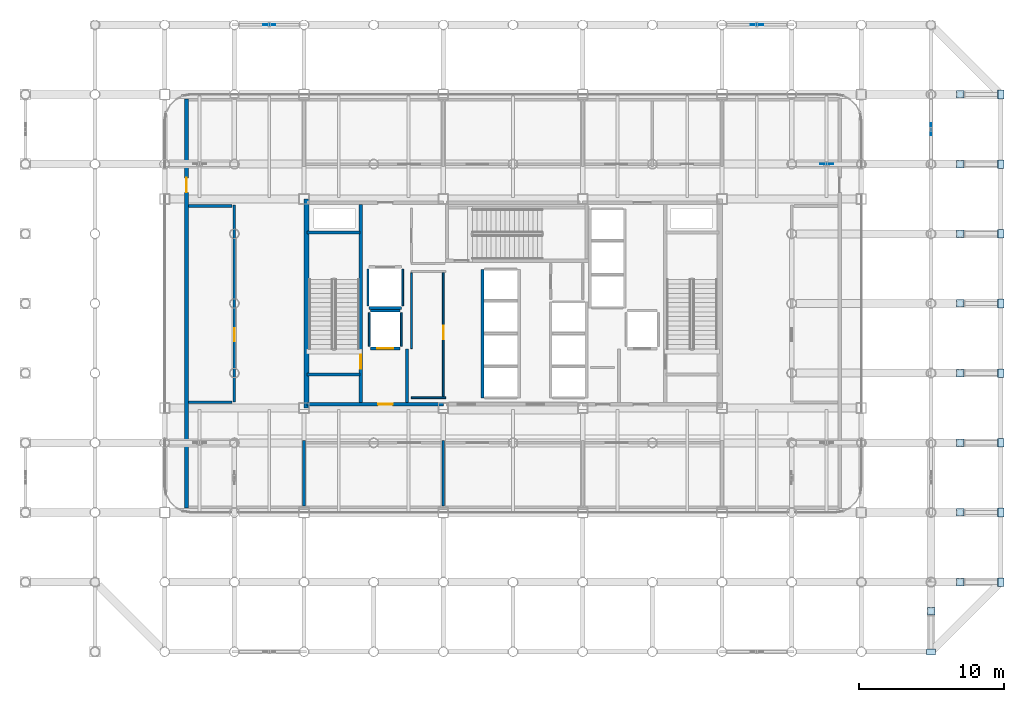
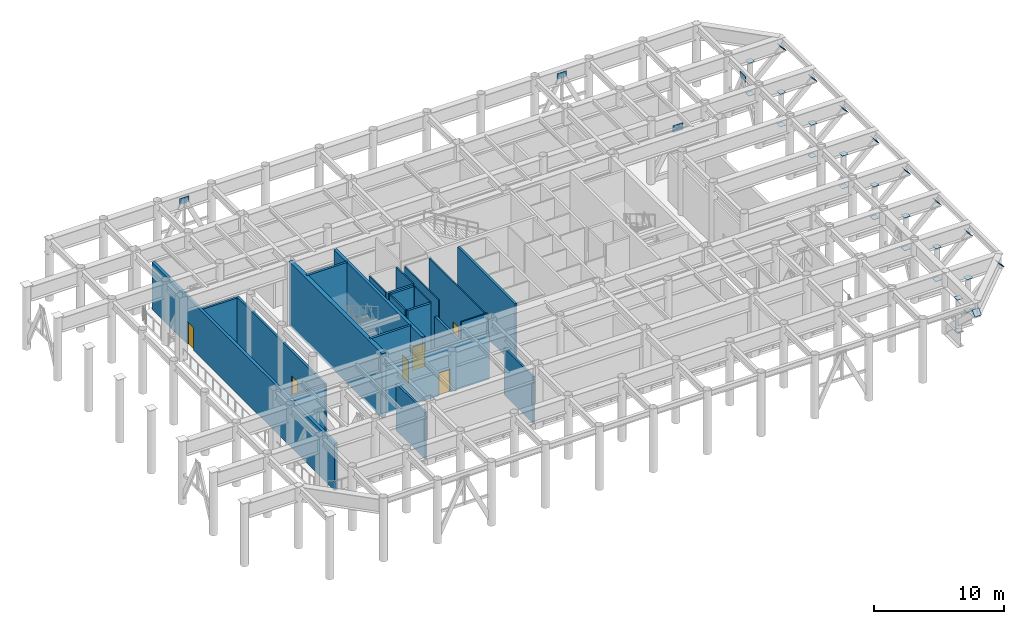
# One storey, part 14 of 20: 31 plates, 23 walls, 6 doors, 6 openings.
"""IFC4 building model written with IfcOpenShell, lengths in metres."""

from ifc_helpers import new_model, si_unit, direction, frame, frame_2d, origin, origin_2d, place, context, subcontext, project, spatial, polyline, rectangle, outline, extrude, material, layer, layer_set, type_object, element, fill, save


model = new_model("IFC4")

# Units and contexts
model_context = context("Model", 3, precision=1e-05, world=origin(), true_north=direction((0.0, 1.0)))
body_context = subcontext(model_context, "Body", "Model", "MODEL_VIEW")
ifc_project = project(units=[si_unit("LENGTHUNIT", "METRE"), si_unit("AREAUNIT", "SQUARE_METRE"), si_unit("VOLUMEUNIT", "CUBIC_METRE"), si_unit("PLANEANGLEUNIT", "RADIAN"), si_unit("MASSUNIT", "GRAM", prefix="KILO")], contexts=[model_context])

# Site, building, storey
site_placement = place(None, origin())
site = spatial("IfcSite", under=ifc_project, at=site_placement, CompositionType="ELEMENT")
building_placement = place(site_placement, origin())
building = spatial("IfcBuilding", under=site, at=building_placement, Name="Kallvorn Hotel Tower", CompositionType="ELEMENT")
storey_placement = place(building_placement, frame((0.0, 0.0, 185.5)))
storey = spatial("IfcBuildingStorey", under=building, at=storey_placement, Name="L46", CompositionType="ELEMENT", Elevation=185.5)

# Plates
ifc_material_1 = material(Name="Structural steel S355JR", Category="steel")
ifc_layer_1 = layer(ifc_material_1, 0.030029296875)
ifc_layer_set_1 = layer_set([ifc_layer_1], Name="PLT_CAP_30")
plate_type_1 = type_object("IfcPlateType", Name="PLT_CAP_30", PredefinedType="SHEET", material=ifc_layer_set_1)
for number, where, z_axis, x_axis, name in (
    (1, (28.800048828125, -21.199951171875, 1.3701171875), (0.0, 0.0, 1.0), (1.0, 0.0, 0.0), "L46 Prop Column End Cap Plate 01B"),
    (2, (28.800048828125, -21.199951171875, 4.43994140625), (0.0, 0.0, 1.0), (1.0, 0.0, 0.0), "L46 Prop Column End Cap Plate 01T"),
):
    element("IfcPlate", number, at=place(storey_placement, frame(where, z_axis=z_axis, x_axis=x_axis)), inside=storey, type_object=plate_type_1, Name=name, PredefinedType="SHEET", context=body_context, shape_type="SweptSolid", body=[
        extrude(rectangle(XDim=0.52001953125, YDim=0.52001953125, at=origin_2d()), origin(), (0.0, 0.0, 1.0), 0.030029296875),
    ])
plate_1_placement = place(storey_placement, frame((28.5, -24.2275390625, 4.572265625), z_axis=(0.0, -0.727949082746, 0.685631193084), x_axis=(1.0, 0.0, 0.0)))
element("IfcPlate", 3, at=plate_1_placement, inside=storey, type_object=plate_type_1, Name="L46 Cantilever Strut Node Cap 01", PredefinedType="SHEET", context=body_context, shape_type="SweptSolid", body=[
    extrude(outline(polyline([(0.0, 0.0), (0.60009765625, 0.0), (0.60009765625, 0.5999974290474805), (0.0, 0.5999974290474805), (0.0, 0.0)])), origin(), (0.0, 0.0, -1.0), 0.030029296875),
])
for number, where, z_axis, x_axis, name in (
    (4, (30.800048828125, -19.199951171875, 1.3701171875), (0.0, 0.0, 1.0), (1.0, 0.0, 0.0), "L46 Prop Column End Cap Plate 02B"),
    (5, (30.800048828125, -19.199951171875, 4.43994140625), (0.0, 0.0, 1.0), (1.0, 0.0, 0.0), "L46 Prop Column End Cap Plate 02T"),
):
    element("IfcPlate", number, at=place(storey_placement, frame(where, z_axis=z_axis, x_axis=x_axis)), inside=storey, type_object=plate_type_1, Name=name, PredefinedType="SHEET", context=body_context, shape_type="SweptSolid", body=[
        extrude(rectangle(XDim=0.52001953125, YDim=0.52001953125, at=origin_2d()), origin(), (0.0, 0.0, 1.0), 0.030029296875),
    ])
plate_2_placement = place(storey_placement, frame((33.827392578125, -19.5, 4.572265625), z_axis=(0.72815219451, 0.0, 0.685415481026), x_axis=(0.0, 1.0, 0.0)))
element("IfcPlate", 6, at=plate_2_placement, inside=storey, type_object=plate_type_1, Name="L46 Cantilever Strut Node Cap 02", PredefinedType="SHEET", context=body_context, shape_type="SweptSolid", body=[
    extrude(outline(polyline([(0.0, 0.0), (0.60009765625, 0.0), (0.60009765625, 0.5998300649478467), (0.0, 0.5998300649478467), (0.0, 0.0)])), origin(), (0.0, 0.0, -1.0), 0.030029296875),
])
for number, where, z_axis, x_axis, name in (
    (7, (30.800048828125, -14.39990234375, 1.3701171875), (0.0, 0.0, 1.0), (1.0, 0.0, 0.0), "L46 Prop Column End Cap Plate 03B"),
    (8, (30.800048828125, -14.39990234375, 4.43994140625), (0.0, 0.0, 1.0), (1.0, 0.0, 0.0), "L46 Prop Column End Cap Plate 03T"),
):
    element("IfcPlate", number, at=place(storey_placement, frame(where, z_axis=z_axis, x_axis=x_axis)), inside=storey, type_object=plate_type_1, Name=name, PredefinedType="SHEET", context=body_context, shape_type="SweptSolid", body=[
        extrude(rectangle(XDim=0.52001953125, YDim=0.52001953125, at=origin_2d()), origin(), (0.0, 0.0, 1.0), 0.030029296875),
    ])
plate_3_placement = place(storey_placement, frame((33.827392578125, -14.699951171875, 4.572265625), z_axis=(0.72815219451, 0.0, 0.685415481026), x_axis=(0.0, 1.0, 0.0)))
element("IfcPlate", 9, at=plate_3_placement, inside=storey, type_object=plate_type_1, Name="L46 Cantilever Strut Node Cap 03", PredefinedType="SHEET", context=body_context, shape_type="SweptSolid", body=[
    extrude(outline(polyline([(0.0, 0.0), (0.599853515625, 0.0), (0.599853515625, 0.5998300649478467), (0.0, 0.5998300649478467), (0.0, 0.0)])), origin(), (0.0, 0.0, -1.0), 0.030029296875),
])
for number, where, z_axis, x_axis, name in (
    (10, (30.800048828125, -9.60009765625, 1.3701171875), (0.0, 0.0, 1.0), (1.0, 0.0, 0.0), "L46 Prop Column End Cap Plate 04B"),
    (11, (30.800048828125, -9.60009765625, 4.43994140625), (0.0, 0.0, 1.0), (1.0, 0.0, 0.0), "L46 Prop Column End Cap Plate 04T"),
):
    element("IfcPlate", number, at=place(storey_placement, frame(where, z_axis=z_axis, x_axis=x_axis)), inside=storey, type_object=plate_type_1, Name=name, PredefinedType="SHEET", context=body_context, shape_type="SweptSolid", body=[
        extrude(rectangle(XDim=0.52001953125, YDim=0.52001953125, at=origin_2d()), origin(), (0.0, 0.0, 1.0), 0.030029296875),
    ])
plate_4_placement = place(storey_placement, frame((33.827392578125, -9.89990234375, 4.572265625), z_axis=(0.72815219451, 0.0, 0.685415481026), x_axis=(0.0, 1.0, 0.0)))
element("IfcPlate", 12, at=plate_4_placement, inside=storey, type_object=plate_type_1, Name="L46 Cantilever Strut Node Cap 04", PredefinedType="SHEET", context=body_context, shape_type="SweptSolid", body=[
    extrude(outline(polyline([(0.0, 0.0), (0.599853515625, 0.0), (0.599853515625, 0.5998300649478467), (0.0, 0.5998300649478467), (0.0, 0.0)])), origin(), (0.0, 0.0, -1.0), 0.030029296875),
])
for number, where, z_axis, x_axis, name in (
    (13, (30.800048828125, -4.800048828125, 1.3701171875), (0.0, 0.0, 1.0), (1.0, 0.0, 0.0), "L46 Prop Column End Cap Plate 05B"),
    (14, (30.800048828125, -4.800048828125, 4.43994140625), (0.0, 0.0, 1.0), (1.0, 0.0, 0.0), "L46 Prop Column End Cap Plate 05T"),
):
    element("IfcPlate", number, at=place(storey_placement, frame(where, z_axis=z_axis, x_axis=x_axis)), inside=storey, type_object=plate_type_1, Name=name, PredefinedType="SHEET", context=body_context, shape_type="SweptSolid", body=[
        extrude(rectangle(XDim=0.52001953125, YDim=0.52001953125, at=origin_2d()), origin(), (0.0, 0.0, 1.0), 0.030029296875),
    ])
plate_5_placement = place(storey_placement, frame((33.827392578125, -5.10009765625, 4.572265625), z_axis=(0.72815219451, 0.0, 0.685415481026), x_axis=(0.0, 1.0, 0.0)))
element("IfcPlate", 15, at=plate_5_placement, inside=storey, type_object=plate_type_1, Name="L46 Cantilever Strut Node Cap 05", PredefinedType="SHEET", context=body_context, shape_type="SweptSolid", body=[
    extrude(outline(polyline([(0.0, 0.0), (0.60009765625, 0.0), (0.60009765625, 0.5998300649478467), (0.0, 0.5998300649478467), (0.0, 0.0)])), origin(), (0.0, 0.0, -1.0), 0.030029296875),
])
for number, where, z_axis, x_axis, name in (
    (16, (30.800048828125, 0.0, 1.3701171875), (0.0, 0.0, 1.0), (1.0, 0.0, 0.0), "L46 Prop Column End Cap Plate 06B"),
    (17, (30.800048828125, 0.0, 4.43994140625), (0.0, 0.0, 1.0), (1.0, 0.0, 0.0), "L46 Prop Column End Cap Plate 06T"),
):
    element("IfcPlate", number, at=place(storey_placement, frame(where, z_axis=z_axis, x_axis=x_axis)), inside=storey, type_object=plate_type_1, Name=name, PredefinedType="SHEET", context=body_context, shape_type="SweptSolid", body=[
        extrude(rectangle(XDim=0.52001953125, YDim=0.52001953125, at=origin_2d()), origin(), (0.0, 0.0, 1.0), 0.030029296875),
    ])
plate_6_placement = place(storey_placement, frame((33.827392578125, -0.300048828125, 4.572265625), z_axis=(0.72815219451, 0.0, 0.685415481026), x_axis=(0.0, 1.0, 0.0)))
element("IfcPlate", 18, at=plate_6_placement, inside=storey, type_object=plate_type_1, Name="L46 Cantilever Strut Node Cap 06", PredefinedType="SHEET", context=body_context, shape_type="SweptSolid", body=[
    extrude(outline(polyline([(0.0, 0.0), (0.60009765625, 0.0), (0.60009765625, 0.5998300649478467), (0.0, 0.5998300649478467), (0.0, 0.0)])), origin(), (0.0, 0.0, -1.0), 0.030029296875),
])
for number, where, z_axis, x_axis, name in (
    (19, (30.800048828125, 4.800048828125, 1.3701171875), (0.0, 0.0, 1.0), (1.0, 0.0, 0.0), "L46 Prop Column End Cap Plate 07B"),
    (20, (30.800048828125, 4.800048828125, 4.43994140625), (0.0, 0.0, 1.0), (1.0, 0.0, 0.0), "L46 Prop Column End Cap Plate 07T"),
):
    element("IfcPlate", number, at=place(storey_placement, frame(where, z_axis=z_axis, x_axis=x_axis)), inside=storey, type_object=plate_type_1, Name=name, PredefinedType="SHEET", context=body_context, shape_type="SweptSolid", body=[
        extrude(rectangle(XDim=0.52001953125, YDim=0.52001953125, at=origin_2d()), origin(), (0.0, 0.0, 1.0), 0.030029296875),
    ])
plate_7_placement = place(storey_placement, frame((33.827392578125, 4.5, 4.572265625), z_axis=(0.72815219451, 0.0, 0.685415481026), x_axis=(0.0, 1.0, 0.0)))
element("IfcPlate", 21, at=plate_7_placement, inside=storey, type_object=plate_type_1, Name="L46 Cantilever Strut Node Cap 07", PredefinedType="SHEET", context=body_context, shape_type="SweptSolid", body=[
    extrude(outline(polyline([(0.0, 0.0), (0.60009765625, 0.0), (0.60009765625, 0.5998300649478467), (0.0, 0.5998300649478467), (0.0, 0.0)])), origin(), (0.0, 0.0, -1.0), 0.030029296875),
])
for number, where, z_axis, x_axis, name in (
    (22, (30.800048828125, 9.60009765625, 1.3701171875), (0.0, 0.0, 1.0), (1.0, 0.0, 0.0), "L46 Prop Column End Cap Plate 08B"),
    (23, (30.800048828125, 9.60009765625, 4.43994140625), (0.0, 0.0, 1.0), (1.0, 0.0, 0.0), "L46 Prop Column End Cap Plate 08T"),
):
    element("IfcPlate", number, at=place(storey_placement, frame(where, z_axis=z_axis, x_axis=x_axis)), inside=storey, type_object=plate_type_1, Name=name, PredefinedType="SHEET", context=body_context, shape_type="SweptSolid", body=[
        extrude(rectangle(XDim=0.52001953125, YDim=0.52001953125, at=origin_2d()), origin(), (0.0, 0.0, 1.0), 0.030029296875),
    ])
plate_8_placement = place(storey_placement, frame((33.827392578125, 9.300048828125, 4.572265625), z_axis=(0.72815219451, 0.0, 0.685415481026), x_axis=(0.0, 1.0, 0.0)))
element("IfcPlate", 24, at=plate_8_placement, inside=storey, type_object=plate_type_1, Name="L46 Cantilever Strut Node Cap 08", PredefinedType="SHEET", context=body_context, shape_type="SweptSolid", body=[
    extrude(outline(polyline([(0.0, 0.0), (0.599853515625, 0.0), (0.599853515625, 0.5998300649478467), (0.0, 0.5998300649478467), (0.0, 0.0)])), origin(), (0.0, 0.0, -1.0), 0.030029296875),
])
for number, where, z_axis, x_axis, name in (
    (25, (30.800048828125, 14.39990234375, 1.3701171875), (0.0, 0.0, 1.0), (1.0, 0.0, 0.0), "L46 Prop Column End Cap Plate 09B"),
    (26, (30.800048828125, 14.39990234375, 4.43994140625), (0.0, 0.0, 1.0), (1.0, 0.0, 0.0), "L46 Prop Column End Cap Plate 09T"),
):
    element("IfcPlate", number, at=place(storey_placement, frame(where, z_axis=z_axis, x_axis=x_axis)), inside=storey, type_object=plate_type_1, Name=name, PredefinedType="SHEET", context=body_context, shape_type="SweptSolid", body=[
        extrude(rectangle(XDim=0.52001953125, YDim=0.52001953125, at=origin_2d()), origin(), (0.0, 0.0, 1.0), 0.030029296875),
    ])
plate_9_placement = place(storey_placement, frame((33.827392578125, 14.10009765625, 4.572265625), z_axis=(0.72815219451, 0.0, 0.685415481026), x_axis=(0.0, 1.0, 0.0)))
element("IfcPlate", 27, at=plate_9_placement, inside=storey, type_object=plate_type_1, Name="L46 Cantilever Strut Node Cap 09", PredefinedType="SHEET", context=body_context, shape_type="SweptSolid", body=[
    extrude(outline(polyline([(0.0, 0.0), (0.599853515625, 0.0), (0.599853515625, 0.5998300649478467), (0.0, 0.5998300649478467), (0.0, 0.0)])), origin(), (0.0, 0.0, -1.0), 0.030029296875),
])
ifc_material_2 = material(Name="Structural steel S355JR", Category="steel")
ifc_layer_2 = layer(ifc_material_2, 0.0400390625)
ifc_layer_set_2 = layer_set([ifc_layer_2], Name="PLT_GUSSET_40")
plate_type_2 = type_object("IfcPlateType", Name="PLT_GUSSET_40", PredefinedType="USERDEFINED", material=ifc_layer_set_2)
plate_10_placement = place(storey_placement, frame((21.60009765625, 9.60009765625, 3.9951171875), z_axis=(0.0, 0.0, 1.0), x_axis=(1.0, 0.0, 0.0)))
element("IfcPlate", 28, at=plate_10_placement, inside=storey, type_object=plate_type_2, Name="L46 Outrigger Node Gusset Plate OTE2", ObjectType="GUSSET PLATE", PredefinedType="USERDEFINED", context=body_context, shape_type="SweptSolid", body=[
    extrude(rectangle(XDim=0.89990234375, YDim=0.0400390625, at=origin_2d()), origin(), (0.0, 0.0, 1.0), 0.64990234375),
])
for number, where, z_axis, x_axis, name in (
    (29, (-16.800048828125, 19.199951171875, 4.84521484375), (0.0, 0.0, 1.0), (1.0, 0.0, 0.0), "L46 Belt Truss Gusset Plate 3"),
    (30, (16.800048828125, 19.199951171875, 4.84521484375), (0.0, 0.0, 1.0), (1.0, 0.0, 0.0), "L46 Belt Truss Gusset Plate 4"),
    (31, (28.800048828125, 12.0, 4.84521484375), (0.0, 0.0, 1.0), (0.0, 1.0, 0.0), "L46 Belt Truss Gusset Plate 8"),
):
    element("IfcPlate", number, at=place(storey_placement, frame(where, z_axis=z_axis, x_axis=x_axis)), inside=storey, type_object=plate_type_2, Name=name, ObjectType="GUSSET PLATE", PredefinedType="USERDEFINED", context=body_context, shape_type="SweptSolid", body=[
        extrude(rectangle(XDim=0.85009765625, YDim=0.0400390625, at=origin_2d()), origin(), (0.0, 0.0, 1.0), 0.550048828125),
    ])

# Walls
ifc_material_3 = material(Name="Concrete C50/60", Category="concrete")
ifc_layer_3 = layer(ifc_material_3, 0.35009765625)
ifc_layer_set_3 = layer_set([ifc_layer_3], Name="WL_CORE_350")
wall_type_1 = type_object("IfcWallType", Name="WL_CORE_350", PredefinedType="SHEAR", material=ifc_layer_set_3)
wall_1_placement = place(storey_placement, frame((-14.239990234375, -7.199951171875, -0.25), z_axis=(0.0, 0.0, 1.0), x_axis=(0.0, 1.0, 0.0)))
element("IfcWall", 32, at=wall_1_placement, inside=storey, type_object=wall_type_1, Name="L46 Core West Shear Wall", PredefinedType="SHEAR", context=body_context, shape_type="SweptSolid", body=[
    extrude(rectangle(XDim=14.39990234375, YDim=0.35009765625, at=frame_2d((7.199951171875, 0.0))), origin(), (0.0, 0.0, 1.0), 6.070068359375),
])
ifc_material_4 = material(Name="Fire-rated double-layer acoustic gypsum drywall EI 60")
ifc_layer_4 = layer(ifc_material_4, 0.179931640625)
ifc_layer_set_4 = layer_set([ifc_layer_4], Name="WL_CORR_180")
wall_type_2 = type_object("IfcWallType", Name="WL_CORR_180", PredefinedType="PARTITIONING", material=ifc_layer_set_4)
for number, where, z_axis, x_axis, name in (
    (33, (-22.364990234375, -6.800048828125, 0.0), (0.0, 0.0, 1.0), (1.0, 0.0, 0.0), "L46 L46 Pressurised Fire Refuge Area West Partition"),
    (34, (-22.364990234375, 6.716796875, 0.0), (0.0, 0.0, 1.0), (1.0, 0.0, 0.0), "L46 L46 Pressurised Fire Refuge Area West Partition"),
):
    element("IfcWall", number, at=place(storey_placement, frame(where, z_axis=z_axis, x_axis=x_axis)), inside=storey, type_object=wall_type_2, Name=name, PredefinedType="PARTITIONING", context=body_context, shape_type="SweptSolid", body=[
        extrude(rectangle(XDim=3.014892578125, YDim=0.179931640625, at=frame_2d((1.50732421875, 0.0))), origin(), (0.0, 0.0, 1.0), 4.419921875),
    ])

# Wall, opening, door
wall_2_placement = place(storey_placement, frame((-19.199951171875, -6.800048828125, 0.0), z_axis=(0.0, 0.0, 1.0), x_axis=(0.0, 1.0, 0.0)))
wall_2 = element("IfcWall", 35, at=wall_2_placement, inside=storey, type_object=wall_type_2, Name="L46 L46 Pressurised Fire Refuge Area West Partition", PredefinedType="PARTITIONING", context=body_context, shape_type="SweptSolid", body=[
    extrude(rectangle(XDim=13.60009765625, YDim=0.179931640625, at=frame_2d((6.800048828125, 0.0))), origin(), (0.0, 0.0, 1.0), 4.419921875),
])
opening_1_placement = place(wall_2_placement, frame((4.20703125, 0.0, 0.0)))
opening_1 = element("IfcOpeningElement", 36, at=opening_1_placement, cuts=wall_2, Name="Opening SVD1", PredefinedType="OPENING", context=body_context, shape_type="SweptSolid", body=[
    extrude(rectangle(XDim=0.89990234375, YDim=2.10009765625, at=frame_2d((0.449951171875, 1.050048828125))), frame((0.0, 0.104736328125, 0.0), z_axis=(0.0, -1.0, 0.0), x_axis=(1.0, 0.0, 0.0)), (0.0, 0.0, 1.0), 0.2099609375),
])
ifc_material_5 = material(Name="Galvanised painted steel fire-rated door assembly", Category="steel")
door_type_1 = type_object("IfcDoorType", Name="DR_SERV_900x2100", OperationType="NOTDEFINED", PredefinedType="DOOR", material=ifc_material_5)
door_1_placement = place(opening_1_placement, origin())
door_1 = element("IfcDoor", 37, at=door_1_placement, inside=storey, type_object=door_type_1, Name="L46 L46 Pressurised Fire Refuge Area West Door", OperationType="SINGLE_SWING_LEFT", OverallHeight=2.10009765625, OverallWidth=0.89990234375, PredefinedType="DOOR", context=body_context, shape_type="SweptSolid", body=[
    extrude(rectangle(XDim=0.89990234375, YDim=2.10009765625, at=frame_2d((0.449951171875, 1.050048828125))), frame((0.0, 0.02490234375, 0.0), z_axis=(0.0, -1.0, 0.0), x_axis=(1.0, 0.0, 0.0)), (0.0, 0.0, 1.0), 0.050048828125),
])
fill(opening_1, door_1)

# Walls
for number, where, z_axis, x_axis, name in (
    (38, (-14.39990234375, -13.945068359375, 0.0), (0.0, 0.0, 1.0), (0.0, 1.0, 0.0), "L46 L46 Pressurised Fire Refuge Area South Partition"),
    (39, (-4.800048828125, -13.945068359375, 0.0), (0.0, 0.0, 1.0), (0.0, 1.0, 0.0), "L46 L46 Air Handling and Ventilation Fan Plant Partition"),
):
    element("IfcWall", number, at=place(storey_placement, frame(where, z_axis=z_axis, x_axis=x_axis)), inside=storey, type_object=wall_type_2, Name=name, PredefinedType="PARTITIONING", context=body_context, shape_type="SweptSolid", body=[
        extrude(rectangle(XDim=4.4951171875, YDim=0.179931640625, at=frame_2d((2.24755859375, 0.0))), origin(), (0.0, 0.0, 1.0), 4.419921875),
    ])

# Wall, opening, door
ifc_material_6 = material(Name="Precast basalt-clad insulated concrete wall C40/50", Category="masonry")
ifc_layer_5 = layer(ifc_material_6, 0.25)
ifc_layer_set_5 = layer_set([ifc_layer_5], Name="WL_EXT_HUB_250")
wall_type_3 = type_object("IfcWallType", Name="WL_EXT_HUB_250", PredefinedType="SOLIDWALL", material=ifc_layer_set_5)
wall_3_placement = place(storey_placement, frame((-22.5, -14.080078125, 0.0), z_axis=(0.0, 0.0, 1.0), x_axis=(0.0, 1.0, 0.0)))
wall_3 = element("IfcWall", 40, at=wall_3_placement, inside=storey, type_object=wall_type_3, Name="L46 Wind-Hub Acoustic Enclosure Wall W", PredefinedType="SOLIDWALL", context=body_context, shape_type="SweptSolid", body=[
    extrude(rectangle(XDim=28.16015625, YDim=0.25, at=frame_2d((14.080078125, 0.0))), origin(), (0.0, 0.0, 1.0), 4.419921875),
])
opening_2_placement = place(wall_3_placement, frame((21.72998046875, 0.0, 0.0)))
opening_2 = element("IfcOpeningElement", 41, at=opening_2_placement, cuts=wall_3, Name="Opening WDX1", PredefinedType="OPENING", context=body_context, shape_type="SweptSolid", body=[
    extrude(rectangle(XDim=1.0, YDim=2.14990234375, at=frame_2d((0.5, 1.074951171875))), frame((0.0, 0.139892578125, 0.0), z_axis=(0.0, -1.0, 0.0), x_axis=(1.0, 0.0, 0.0)), (0.0, 0.0, 1.0), 0.280029296875),
])
ifc_material_7 = material(Name="Galvanised painted steel S275JR balustrade", Category="steel")
door_type_2 = type_object("IfcDoorType", Name="DR_WIND_EXT_1000x2150", OperationType="NOTDEFINED", PredefinedType="DOOR", material=ifc_material_7)
door_2_placement = place(opening_2_placement, origin())
door_2 = element("IfcDoor", 42, at=door_2_placement, inside=storey, type_object=door_type_2, Name="L46 Turbine Deck Maintenance Access Door W", OperationType="SINGLE_SWING_RIGHT", OverallHeight=2.14990234375, OverallWidth=1.0, PredefinedType="DOOR", context=body_context, shape_type="SweptSolid", body=[
    extrude(rectangle(XDim=1.0, YDim=2.14990234375, at=frame_2d((0.5, 1.074951171875))), frame((0.0, 0.02490234375, 0.0), z_axis=(0.0, -1.0, 0.0), x_axis=(1.0, 0.0, 0.0)), (0.0, 0.0, 1.0), 0.050048828125),
])
fill(opening_2, door_2)

# Walls
ifc_material_8 = material(Name="Concrete C40/50", Category="concrete")
ifc_layer_6 = layer(ifc_material_8, 0.219970703125)
ifc_layer_set_6 = layer_set([ifc_layer_6], Name="WL_FFL_220")
wall_type_4 = type_object("IfcWallType", Name="WL_FFL_220", PredefinedType="SOLIDWALL", material=ifc_layer_set_6)
wall_4_placement = place(storey_placement, frame((-7.300048828125, -6.820068359375, 0.0), z_axis=(0.0, 0.0, 1.0), x_axis=(0.0, 1.0, 0.0)))
element("IfcWall", 43, at=wall_4_placement, inside=storey, type_object=wall_type_4, Name="L46 Firefighting Lobby West Divider Wall", PredefinedType="SOLIDWALL", context=body_context, shape_type="SweptSolid", body=[
    extrude(rectangle(XDim=3.670166015625, YDim=0.219970703125, at=frame_2d((1.8349609375, 0.0))), origin(), (0.0, 0.0, 1.0), 4.419921875),
])
ifc_material_9 = material(Name="Concrete C40/50", Category="concrete")
ifc_layer_7 = layer(ifc_material_9, 0.199951171875)
ifc_layer_set_7 = layer_set([ifc_layer_7], Name="WL_HOIST_200")
wall_type_5 = type_object("IfcWallType", Name="WL_HOIST_200", PredefinedType="SOLIDWALL", material=ifc_layer_set_7)
for number, where, z_axis, x_axis, name in (
    (44, (-14.199951171875, -4.89990234375, -0.25), (0.0, 0.0, 1.0), (1.0, 0.0, 0.0), "L46 Stair ST1 South Wall"),
    (45, (-14.199951171875, 4.89990234375, -0.25), (0.0, 0.0, 1.0), (1.0, 0.0, 0.0), "L46 Stair ST1 North Wall"),
):
    element("IfcWall", number, at=place(storey_placement, frame(where, z_axis=z_axis, x_axis=x_axis)), inside=storey, type_object=wall_type_5, Name=name, PredefinedType="SOLIDWALL", context=body_context, shape_type="SweptSolid", body=[
        extrude(rectangle(XDim=3.64990234375, YDim=0.199951171875, at=frame_2d((1.824951171875, 0.0))), origin(), (0.0, 0.0, 1.0), 6.070068359375),
    ])
wall_5_placement = place(storey_placement, frame((-2.10009765625, -6.5, 0.0), z_axis=(0.0, 0.0, 1.0), x_axis=(0.0, 1.0, 0.0)))
element("IfcWall", 46, at=wall_5_placement, inside=storey, type_object=wall_type_5, Name="L46 Lift Bank B2 Landing Wall", PredefinedType="SOLIDWALL", context=body_context, shape_type="SweptSolid", body=[
    extrude(rectangle(XDim=8.85009765625, YDim=0.199951171875, at=frame_2d((4.425048828125, 0.0))), origin(), (0.0, 0.0, 1.0), 5.820068359375),
])

# Wall, opening, door
wall_6_placement = place(storey_placement, frame((-9.820068359375, -3.10009765625, 0.0), z_axis=(0.0, 0.0, 1.0), x_axis=(1.0, 0.0, 0.0)))
wall_6 = element("IfcWall", 47, at=wall_6_placement, inside=storey, type_object=wall_type_5, Name="L46 FL-1 Landing Wall", PredefinedType="SOLIDWALL", context=body_context, shape_type="SweptSolid", body=[
    extrude(rectangle(XDim=2.0400390625, YDim=0.199951171875, at=frame_2d((1.02001953125, 0.0))), origin(), (0.0, 0.0, 1.0), 5.820068359375),
])
opening_3_placement = place(wall_6_placement, frame((0.469970703125, 0.0, 0.0)))
opening_3 = element("IfcOpeningElement", 48, at=opening_3_placement, cuts=wall_6, Name="Opening LD-FL-1", PredefinedType="OPENING", context=body_context, shape_type="SweptSolid", body=[
    extrude(rectangle(XDim=1.10009765625, YDim=2.199951171875, at=frame_2d((0.550048828125, 1.10009765625))), frame((0.0, 0.114990234375, 0.0), z_axis=(0.0, -1.0, 0.0), x_axis=(1.0, 0.0, 0.0)), (0.0, 0.0, 1.0), 0.22998046875),
])
ifc_material_10 = material(Name="Brushed stainless-steel automatic sliding lift landing door", Category="steel")
door_type_3 = type_object("IfcDoorType", Name="LD_PASS_1100x2200", OperationType="SLIDING_TO_LEFT", PredefinedType="DOOR", material=ifc_material_10)
door_3_placement = place(opening_3_placement, origin())
door_3 = element("IfcDoor", 49, at=door_3_placement, inside=storey, type_object=door_type_3, Name="L46 Lift Landing Sliding Door LD-FL-1", OperationType="SLIDING_TO_LEFT", OverallHeight=2.199951171875, OverallWidth=1.10009765625, PredefinedType="DOOR", context=body_context, shape_type="SweptSolid", body=[
    extrude(rectangle(XDim=1.10009765625, YDim=2.199951171875, at=frame_2d((0.550048828125, 1.10009765625))), frame((0.0, 0.02490234375, 0.0), z_axis=(0.0, -1.0, 0.0), x_axis=(1.0, 0.0, 0.0)), (0.0, 0.0, 1.0), 0.050048828125),
])
fill(opening_3, door_3)

# Walls
wall_7_placement = place(storey_placement, frame((-9.820068359375, -0.5, 0.0), z_axis=(0.0, 0.0, 1.0), x_axis=(1.0, 0.0, 0.0)))
element("IfcWall", 50, at=wall_7_placement, inside=storey, type_object=wall_type_5, Name="L46 FL-1 Rear Shaft Wall", PredefinedType="SOLIDWALL", context=body_context, shape_type="SweptSolid", body=[
    extrude(rectangle(XDim=2.0400390625, YDim=0.199951171875, at=frame_2d((1.02001953125, 0.0))), origin(), (0.0, 0.0, 1.0), 5.820068359375),
])
wall_8_placement = place(storey_placement, frame((-9.919921875, -0.300048828125, 0.0), z_axis=(0.0, 0.0, 1.0), x_axis=(1.0, 0.0, 0.0)))
element("IfcWall", 51, at=wall_8_placement, inside=storey, type_object=wall_type_5, Name="L46 SV-01 Rear Shaft Wall", PredefinedType="SOLIDWALL", context=body_context, shape_type="SweptSolid", body=[
    extrude(rectangle(XDim=2.239990234375, YDim=0.199951171875, at=frame_2d((1.1201171875, 0.0))), origin(), (0.0, 0.0, 1.0), 5.820068359375),
])
ifc_material_11 = material(Name="Fire-rated double-layer acoustic gypsum drywall EI 60")
ifc_layer_8 = layer(ifc_material_11, 0.1201171875)
ifc_layer_set_8 = layer_set([ifc_layer_8], Name="WL_INT_120")
wall_type_6 = type_object("IfcWallType", Name="WL_INT_120", PredefinedType="PARTITIONING", material=ifc_layer_set_8)
for number, where, z_axis, x_axis, name in (
    (52, (-9.89990234375, -2.9599609375, 0.0), (0.0, 0.0, 1.0), (0.0, 1.0, 0.0), "L46 FL-1 West Shaft Wall"),
    (53, (-7.699951171875, -2.9599609375, 0.0), (0.0, 0.0, 1.0), (0.0, 1.0, 0.0), "L46 FL-1 East Shaft Wall"),
):
    element("IfcWall", number, at=place(storey_placement, frame(where, z_axis=z_axis, x_axis=x_axis)), inside=storey, type_object=wall_type_6, Name=name, PredefinedType="PARTITIONING", context=body_context, shape_type="SweptSolid", body=[
        extrude(rectangle(XDim=2.320068359375, YDim=0.1201171875, at=frame_2d((1.16015625, 0.0))), origin(), (0.0, 0.0, 1.0), 5.820068359375),
    ])
for number, where, z_axis, x_axis, name in (
    (54, (-10.0, -0.159912109375, 0.0), (0.0, 0.0, 1.0), (0.0, 1.0, 0.0), "L46 SV-01 West Shaft Wall"),
    (55, (-7.60009765625, -0.159912109375, 0.0), (0.0, 0.0, 1.0), (0.0, 1.0, 0.0), "L46 SV-01 East Shaft Wall"),
):
    element("IfcWall", number, at=place(storey_placement, frame(where, z_axis=z_axis, x_axis=x_axis)), inside=storey, type_object=wall_type_6, Name=name, PredefinedType="PARTITIONING", context=body_context, shape_type="SweptSolid", body=[
        extrude(rectangle(XDim=2.52001953125, YDim=0.1201171875, at=frame_2d((1.260009765625, 0.0))), origin(), (0.0, 0.0, 1.0), 5.820068359375),
    ])
wall_9_placement = place(storey_placement, frame((-7.0, -6.5, 0.0), z_axis=(0.0, 0.0, 1.0), x_axis=(1.0, 0.0, 0.0)))
element("IfcWall", 56, at=wall_9_placement, inside=storey, type_object=wall_type_6, Name="L46 Recaptured Butler and Room-Service Pantry Partition", PredefinedType="PARTITIONING", context=body_context, shape_type="SweptSolid", body=[
    extrude(rectangle(XDim=2.35009765625, YDim=0.1201171875, at=frame_2d((1.175048828125, 0.0))), origin(), (0.0, 0.0, 1.0), 5.820068359375),
])
wall_10_placement = place(storey_placement, frame((-7.0, -3.110107421875, 0.0), z_axis=(0.0, 0.0, 1.0), x_axis=(0.0, 1.0, 0.0)))
element("IfcWall", 57, at=wall_10_placement, inside=storey, type_object=wall_type_6, Name="L46 Recaptured Butler and Room-Service Pantry Partition", PredefinedType="PARTITIONING", context=body_context, shape_type="SweptSolid", body=[
    extrude(rectangle(XDim=5.22509765625, YDim=0.1201171875, at=frame_2d((2.612548828125, 0.0))), origin(), (0.0, 0.0, 1.0), 5.820068359375),
])

# Wall, opening, door
wall_11_placement = place(storey_placement, frame((-4.800048828125, -6.4150390625, 0.0), z_axis=(0.0, 0.0, 1.0), x_axis=(0.0, 1.0, 0.0)))
wall_11 = element("IfcWall", 58, at=wall_11_placement, inside=storey, type_object=wall_type_6, Name="L46 Recaptured Butler and Room-Service Pantry Partition", PredefinedType="PARTITIONING", context=body_context, shape_type="SweptSolid", body=[
    extrude(rectangle(XDim=8.530029296875, YDim=0.1201171875, at=frame_2d((4.26513671875, 0.0))), origin(), (0.0, 0.0, 1.0), 5.820068359375),
])
opening_4_placement = place(wall_11_placement, frame((3.965087890625, 0.0, 0.0)))
opening_4 = element("IfcOpeningElement", 59, at=opening_4_placement, cuts=wall_11, Name="Opening SVD1", PredefinedType="OPENING", context=body_context, shape_type="SweptSolid", body=[
    extrude(rectangle(XDim=0.89990234375, YDim=2.10009765625, at=frame_2d((0.449951171875, 1.050048828125))), frame((0.0, 0.074951171875, 0.0), z_axis=(0.0, -1.0, 0.0), x_axis=(1.0, 0.0, 0.0)), (0.0, 0.0, 1.0), 0.150146484375),
])
door_4_placement = place(opening_4_placement, origin())
door_4 = element("IfcDoor", 60, at=door_4_placement, inside=storey, type_object=door_type_1, Name="L46 Recaptured Butler and Room-Service Pantry Door", OperationType="SINGLE_SWING_LEFT", OverallHeight=2.10009765625, OverallWidth=0.89990234375, PredefinedType="DOOR", context=body_context, shape_type="SweptSolid", body=[
    extrude(rectangle(XDim=0.89990234375, YDim=2.10009765625, at=frame_2d((0.449951171875, 1.050048828125))), frame((0.0, 0.02490234375, 0.0), z_axis=(0.0, -1.0, 0.0), x_axis=(1.0, 0.0, 0.0)), (0.0, 0.0, 1.0), 0.050048828125),
])
fill(opening_4, door_4)

ifc_material_12 = material(Name="Concrete C40/50", Category="concrete")
ifc_layer_9 = layer(ifc_material_12, 0.25)
ifc_layer_set_9 = layer_set([ifc_layer_9], Name="WL_SHAFT_250")
wall_type_7 = type_object("IfcWallType", Name="WL_SHAFT_250", PredefinedType="SOLIDWALL", material=ifc_layer_set_9)
wall_12_placement = place(storey_placement, frame((-14.199951171875, -6.949951171875, 0.0), z_axis=(0.0, 0.0, 1.0), x_axis=(1.0, 0.0, 0.0)))
wall_12 = element("IfcWall", 61, at=wall_12_placement, inside=storey, type_object=wall_type_7, Name="L46 Core South-West Wall", PredefinedType="SOLIDWALL", context=body_context, shape_type="SweptSolid", body=[
    extrude(rectangle(XDim=9.39990234375, YDim=0.25, at=frame_2d((4.699951171875, 0.0))), origin(), (0.0, 0.0, 1.0), 4.419921875),
])
opening_5_placement = place(wall_12_placement, frame((4.89990234375, 0.0, 0.0)))
opening_5 = element("IfcOpeningElement", 62, at=opening_5_placement, cuts=wall_12, Name="Opening FD1", PredefinedType="OPENING", context=body_context, shape_type="SweptSolid", body=[
    extrude(rectangle(XDim=1.0, YDim=2.14990234375, at=frame_2d((0.5, 1.074951171875))), frame((0.0, 0.139892578125, 0.0), z_axis=(0.0, -1.0, 0.0), x_axis=(1.0, 0.0, 0.0)), (0.0, 0.0, 1.0), 0.280029296875),
])
ifc_material_13 = material(Name="Galvanised painted steel fire-rated door assembly", Category="steel")
door_type_4 = type_object("IfcDoorType", Name="DR_FFL_1000x2150", OperationType="NOTDEFINED", PredefinedType="DOOR", material=ifc_material_13)
door_5_placement = place(opening_5_placement, origin())
door_5 = element("IfcDoor", 63, at=door_5_placement, inside=storey, type_object=door_type_4, Name="L46 Firefighting Lobby West Door", OperationType="SINGLE_SWING_LEFT", OverallHeight=2.14990234375, OverallWidth=1.0, PredefinedType="DOOR", context=body_context, shape_type="SweptSolid", body=[
    extrude(rectangle(XDim=1.0, YDim=2.14990234375, at=frame_2d((0.5, 1.074951171875))), frame((0.0, 0.02490234375, 0.0), z_axis=(0.0, -1.0, 0.0), x_axis=(1.0, 0.0, 0.0)), (0.0, 0.0, 1.0), 0.050048828125),
])
fill(opening_5, door_5)

wall_13_placement = place(storey_placement, frame((-10.5, -6.820068359375, -0.25), z_axis=(0.0, 0.0, 1.0), x_axis=(0.0, 1.0, 0.0)))
wall_13 = element("IfcWall", 64, at=wall_13_placement, inside=storey, type_object=wall_type_7, Name="L46 Stair ST1 Shaft Wall", PredefinedType="SOLIDWALL", context=body_context, shape_type="SweptSolid", body=[
    extrude(rectangle(XDim=13.64013671875, YDim=0.25, at=frame_2d((6.820068359375, 0.0))), origin(), (0.0, 0.0, 1.0), 6.070068359375),
])
opening_6_placement = place(wall_13_placement, frame((2.320068359375, 0.0, 0.25)))
opening_6 = element("IfcOpeningElement", 65, at=opening_6_placement, cuts=wall_13, Name="Opening SD1", PredefinedType="OPENING", context=body_context, shape_type="SweptSolid", body=[
    extrude(rectangle(XDim=0.949951171875, YDim=2.14990234375, at=frame_2d((0.47509765625, 1.074951171875))), frame((0.0, 0.139892578125, 0.0), z_axis=(0.0, -1.0, 0.0), x_axis=(1.0, 0.0, 0.0)), (0.0, 0.0, 1.0), 0.280029296875),
])
ifc_material_14 = material(Name="Galvanised painted steel fire-rated door assembly", Category="steel")
door_type_5 = type_object("IfcDoorType", Name="DR_STAIR_950x2150", OperationType="NOTDEFINED", PredefinedType="DOOR", material=ifc_material_14)
door_6_placement = place(opening_6_placement, origin())
door_6 = element("IfcDoor", 66, at=door_6_placement, inside=storey, type_object=door_type_5, Name="L46 Exit Stair ST1 Fire Door", OperationType="SINGLE_SWING_LEFT", OverallHeight=2.14990234375, OverallWidth=0.949951171875, PredefinedType="DOOR", context=body_context, shape_type="SweptSolid", body=[
    extrude(rectangle(XDim=0.949951171875, YDim=2.14990234375, at=frame_2d((0.47509765625, 1.074951171875))), frame((0.0, 0.02490234375, 0.0), z_axis=(0.0, -1.0, 0.0), x_axis=(1.0, 0.0, 0.0)), (0.0, 0.0, 1.0), 0.050048828125),
])
fill(opening_6, door_6)

save(model, "model.ifc")
